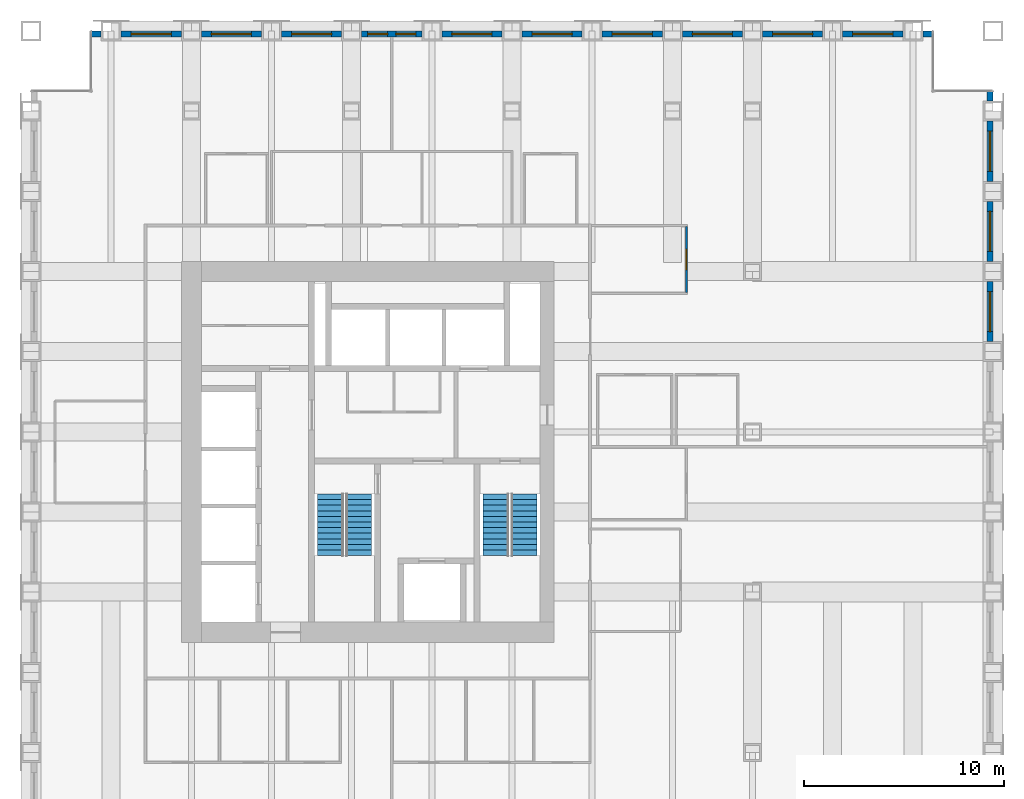
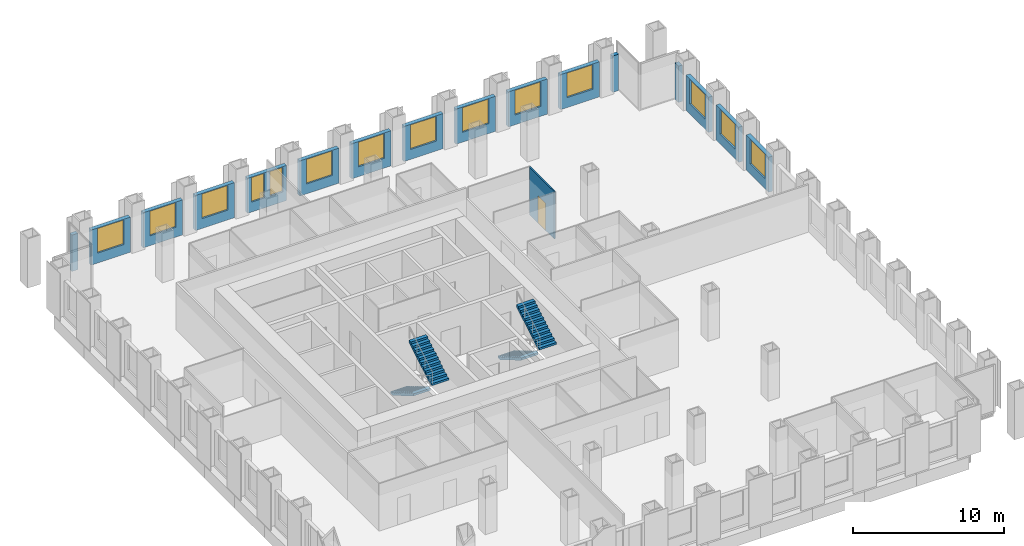
# One storey, part 14 of 16: 17 walls, 14 windows, 4 stair flights, 1 door, 15 openings, 2 elements without a shape of their own.
"""IFC4 building model written with IfcOpenShell, lengths in metres."""

from ifc_helpers import new_model, si_unit, direction, frame, frame_2d, origin, place, context, subcontext, project, spatial, polyline, rectangle, outline, extrude, material, layer, layer_set, type_object, element, fill, aggregate, save


model = new_model("IFC4")

# Units and contexts
model_context = context("Model", 3, precision=1e-05, world=origin(), true_north=direction((0.0, 1.0)))
body_context = subcontext(model_context, "Body", "Model", "MODEL_VIEW")
ifc_project = project(units=[si_unit("LENGTHUNIT", "METRE"), si_unit("AREAUNIT", "SQUARE_METRE"), si_unit("VOLUMEUNIT", "CUBIC_METRE"), si_unit("PLANEANGLEUNIT", "RADIAN"), si_unit("MASSUNIT", "GRAM", prefix="KILO")], contexts=[model_context])

# Site, building, storey
site_placement = place(None, origin())
site = spatial("IfcSite", under=ifc_project, at=site_placement, CompositionType="ELEMENT")
building_placement = place(site_placement, origin())
building = spatial("IfcBuilding", under=site, at=building_placement, Name="Rimbunsela Tower", CompositionType="ELEMENT")
storey_placement = place(building_placement, frame((0.0, 0.0, 97.39990234375)))
storey = spatial("IfcBuildingStorey", under=building, at=storey_placement, Name="L23", CompositionType="ELEMENT", Elevation=97.39990234375)

# Wall, opening, door
ifc_material_1 = material(Name="Gypsum board on steel studs", Category="steel")
ifc_layer_1 = layer(ifc_material_1, 0.10009765625)
ifc_layer_set_1 = layer_set([ifc_layer_1], Name="Office partition 100")
wall_type_1 = type_object("IfcWallType", Name="Office partition 100", PredefinedType="PARTITIONING", material=ifc_layer_set_1)
wall_1_placement = place(storey_placement, frame((42.699951171875, 34.949951171875, 0.0), z_axis=(0.0, 0.0, 1.0), x_axis=(0.0, 1.0, 0.0)))
wall_1 = element("IfcWall", 1, at=wall_1_placement, inside=storey, type_object=wall_type_1, Name="Office partition", PredefinedType="PARTITIONING", context=body_context, shape_type="SweptSolid", body=[
    extrude(rectangle(XDim=3.300048828125, YDim=0.10009765625, at=frame_2d((1.64990234375, 0.0))), origin(), (0.0, 0.0, 1.0), 3.85009765625),
])
opening_1_placement = place(wall_1_placement, frame((1.14990234375, 0.0, 0.0)))
opening_1 = element("IfcOpeningElement", 2, at=opening_1_placement, cuts=wall_1, Name="Opening D16", PredefinedType="OPENING", context=body_context, shape_type="SweptSolid", body=[
    extrude(rectangle(XDim=1.0, YDim=2.199951171875, at=frame_2d((0.5, 1.10009765625))), frame((0.0, 0.06005859375, 0.0), z_axis=(0.0, -1.0, 0.0), x_axis=(1.0, 0.0, 0.0)), (0.0, 0.0, 1.0), 0.1201171875),
])
ifc_material_2 = material(Name="Timber door", Category="wood")
door_type = type_object("IfcDoorType", Name="Office door 1000", OperationType="SINGLE_SWING_LEFT", PredefinedType="DOOR", material=ifc_material_2)
door_placement = place(opening_1_placement, origin())
door = element("IfcDoor", 3, at=door_placement, inside=storey, type_object=door_type, Name="Office door", OperationType="SINGLE_SWING_LEFT", OverallHeight=2.199951171875, OverallWidth=1.0, PredefinedType="DOOR", context=body_context, shape_type="SweptSolid", body=[
    extrude(rectangle(XDim=1.0, YDim=2.199951171875, at=frame_2d((0.5, 1.10009765625))), frame((0.0, 0.02490234375, 0.0), z_axis=(0.0, -1.0, 0.0), x_axis=(1.0, 0.0, 0.0)), (0.0, 0.0, 1.0), 0.050048828125),
])
fill(opening_1, door)

# Wall, opening, window
ifc_material_3 = material(Name="Precast concrete fc' 35 MPa", Category="concrete")
ifc_layer_2 = layer(ifc_material_3, 0.300048828125)
ifc_layer_set_2 = layer_set([ifc_layer_2], Name="Precast concrete fc' 35 MPa")
wall_type_2 = type_object("IfcWallType", Name="Precast facade panel 300", PredefinedType="ELEMENTEDWALL", material=ifc_layer_set_2)
wall_2_placement = place(storey_placement, frame((57.85009765625, 32.5, 0.0), z_axis=(0.0, 0.0, 1.0), x_axis=(0.0, 1.0, 0.0)))
wall_2 = element("IfcWall", 4, at=wall_2_placement, inside=storey, type_object=wall_type_2, Name="Facade panel E L23", PredefinedType="ELEMENTEDWALL", context=body_context, shape_type="SweptSolid", body=[
    extrude(rectangle(XDim=3.0, YDim=0.300048828125, at=frame_2d((1.5, 0.0))), origin(), (0.0, 0.0, 1.0), 2.85009765625),
])
opening_2_placement = place(wall_2_placement, frame((0.5, 0.0, 0.800048828125)))
opening_2 = element("IfcOpeningElement", 5, at=opening_2_placement, cuts=wall_2, Name="Opening W1", PredefinedType="OPENING", context=body_context, shape_type="SweptSolid", body=[
    extrude(rectangle(XDim=2.0, YDim=2.0, at=frame_2d((1.0, 1.0))), frame((0.0, 0.159912109375, 0.0), z_axis=(0.0, -1.0, 0.0), x_axis=(1.0, 0.0, 0.0)), (0.0, 0.0, 1.0), 0.320068359375),
])
ifc_material_4 = material(Name="Clear glass in aluminium frame", Category="aluminium")
window_type_1 = type_object("IfcWindowType", Name="Window W1 2000x2000", PartitioningType="DOUBLE_PANEL_VERTICAL", PredefinedType="WINDOW", material=ifc_material_4)
window_1_placement = place(opening_2_placement, origin())
window_1 = element("IfcWindow", 6, at=window_1_placement, inside=storey, type_object=window_type_1, Name="Window L23", OverallHeight=2.0, OverallWidth=2.0, PartitioningType="SINGLE_PANEL", PredefinedType="WINDOW", context=body_context, shape_type="SweptSolid", body=[
    extrude(rectangle(XDim=2.0, YDim=2.0, at=frame_2d((1.0, 1.0))), frame((0.0, 0.030029296875, 0.0), z_axis=(0.0, -1.0, 0.0), x_axis=(1.0, 0.0, 0.0)), (0.0, 0.0, 1.0), 0.06005859375),
])
fill(opening_2, window_1)

wall_3_placement = place(storey_placement, frame((57.85009765625, 36.5, 0.0), z_axis=(0.0, 0.0, 1.0), x_axis=(0.0, 1.0, 0.0)))
wall_3 = element("IfcWall", 7, at=wall_3_placement, inside=storey, type_object=wall_type_2, Name="Facade panel E L23", PredefinedType="ELEMENTEDWALL", context=body_context, shape_type="SweptSolid", body=[
    extrude(rectangle(XDim=3.0, YDim=0.300048828125, at=frame_2d((1.5, 0.0))), origin(), (0.0, 0.0, 1.0), 2.85009765625),
])
opening_3_placement = place(wall_3_placement, frame((0.5, 0.0, 0.800048828125)))
opening_3 = element("IfcOpeningElement", 8, at=opening_3_placement, cuts=wall_3, Name="Opening W1", PredefinedType="OPENING", context=body_context, shape_type="SweptSolid", body=[
    extrude(rectangle(XDim=2.0, YDim=2.0, at=frame_2d((1.0, 1.0))), frame((0.0, 0.159912109375, 0.0), z_axis=(0.0, -1.0, 0.0), x_axis=(1.0, 0.0, 0.0)), (0.0, 0.0, 1.0), 0.320068359375),
])
window_2_placement = place(opening_3_placement, origin())
window_2 = element("IfcWindow", 9, at=window_2_placement, inside=storey, type_object=window_type_1, Name="Window L23", OverallHeight=2.0, OverallWidth=2.0, PartitioningType="SINGLE_PANEL", PredefinedType="WINDOW", context=body_context, shape_type="SweptSolid", body=[
    extrude(rectangle(XDim=2.0, YDim=2.0, at=frame_2d((1.0, 1.0))), frame((0.0, 0.030029296875, 0.0), z_axis=(0.0, -1.0, 0.0), x_axis=(1.0, 0.0, 0.0)), (0.0, 0.0, 1.0), 0.06005859375),
])
fill(opening_3, window_2)

wall_4_placement = place(storey_placement, frame((57.85009765625, 40.5, 0.0), z_axis=(0.0, 0.0, 1.0), x_axis=(0.0, 1.0, 0.0)))
wall_4 = element("IfcWall", 10, at=wall_4_placement, inside=storey, type_object=wall_type_2, Name="Facade panel E L23", PredefinedType="ELEMENTEDWALL", context=body_context, shape_type="SweptSolid", body=[
    extrude(rectangle(XDim=3.0, YDim=0.300048828125, at=frame_2d((1.5, 0.0))), origin(), (0.0, 0.0, 1.0), 2.85009765625),
])
opening_4_placement = place(wall_4_placement, frame((0.5, 0.0, 0.800048828125)))
opening_4 = element("IfcOpeningElement", 11, at=opening_4_placement, cuts=wall_4, Name="Opening W1", PredefinedType="OPENING", context=body_context, shape_type="SweptSolid", body=[
    extrude(rectangle(XDim=2.0, YDim=2.0, at=frame_2d((1.0, 1.0))), frame((0.0, 0.159912109375, 0.0), z_axis=(0.0, -1.0, 0.0), x_axis=(1.0, 0.0, 0.0)), (0.0, 0.0, 1.0), 0.320068359375),
])
window_3_placement = place(opening_4_placement, origin())
window_3 = element("IfcWindow", 12, at=window_3_placement, inside=storey, type_object=window_type_1, Name="Window L23", OverallHeight=2.0, OverallWidth=2.0, PartitioningType="SINGLE_PANEL", PredefinedType="WINDOW", context=body_context, shape_type="SweptSolid", body=[
    extrude(rectangle(XDim=2.0, YDim=2.0, at=frame_2d((1.0, 1.0))), frame((0.0, 0.030029296875, 0.0), z_axis=(0.0, -1.0, 0.0), x_axis=(1.0, 0.0, 0.0)), (0.0, 0.0, 1.0), 0.06005859375),
])
fill(opening_4, window_3)

# Walls
for number, where, z_axis, x_axis, name in (
    (13, (57.85009765625, 44.5, 0.0), (0.0, 0.0, 1.0), (0.0, 1.0, 0.0), "Facade panel E L23"),
    (14, (13.5, 47.85009765625, 0.0), (0.0, 0.0, 1.0), (-1.0, 0.0, 0.0), "Facade panel N L23"),
):
    element("IfcWall", number, at=place(storey_placement, frame(where, z_axis=z_axis, x_axis=x_axis)), inside=storey, type_object=wall_type_2, Name=name, PredefinedType="ELEMENTEDWALL", context=body_context, shape_type="SweptSolid", body=[
        extrude(rectangle(XDim=0.469970703125, YDim=0.300048828125, at=frame_2d((0.23486328125, 0.0))), origin(), (0.0, 0.0, 1.0), 2.9501953125),
    ])

# Wall, opening, window
wall_5_placement = place(storey_placement, frame((17.5, 47.85009765625, 0.0), z_axis=(0.0, 0.0, 1.0), x_axis=(-1.0, 0.0, 0.0)))
wall_5 = element("IfcWall", 15, at=wall_5_placement, inside=storey, type_object=wall_type_2, Name="Facade panel N L23", PredefinedType="ELEMENTEDWALL", context=body_context, shape_type="SweptSolid", body=[
    extrude(rectangle(XDim=3.0, YDim=0.300048828125, at=frame_2d((1.5, 0.0))), origin(), (0.0, 0.0, 1.0), 2.85009765625),
])
opening_5_placement = place(wall_5_placement, frame((0.5, 0.0, 0.800048828125)))
opening_5 = element("IfcOpeningElement", 16, at=opening_5_placement, cuts=wall_5, Name="Opening W1", PredefinedType="OPENING", context=body_context, shape_type="SweptSolid", body=[
    extrude(rectangle(XDim=2.0, YDim=2.0, at=frame_2d((1.0, 1.0))), frame((0.0, 0.159912109375, 0.0), z_axis=(0.0, -1.0, 0.0), x_axis=(1.0, 0.0, 0.0)), (0.0, 0.0, 1.0), 0.320068359375),
])
window_4_placement = place(opening_5_placement, origin())
window_4 = element("IfcWindow", 17, at=window_4_placement, inside=storey, type_object=window_type_1, Name="Window L23", OverallHeight=2.0, OverallWidth=2.0, PartitioningType="SINGLE_PANEL", PredefinedType="WINDOW", context=body_context, shape_type="SweptSolid", body=[
    extrude(rectangle(XDim=2.0, YDim=2.0, at=frame_2d((1.0, 1.0))), frame((0.0, 0.030029296875, 0.0), z_axis=(0.0, -1.0, 0.0), x_axis=(1.0, 0.0, 0.0)), (0.0, 0.0, 1.0), 0.06005859375),
])
fill(opening_5, window_4)

wall_6_placement = place(storey_placement, frame((21.5, 47.85009765625, 0.0), z_axis=(0.0, 0.0, 1.0), x_axis=(-1.0, 0.0, 0.0)))
wall_6 = element("IfcWall", 18, at=wall_6_placement, inside=storey, type_object=wall_type_2, Name="Facade panel N L23", PredefinedType="ELEMENTEDWALL", context=body_context, shape_type="SweptSolid", body=[
    extrude(rectangle(XDim=3.0, YDim=0.300048828125, at=frame_2d((1.5, 0.0))), origin(), (0.0, 0.0, 1.0), 2.85009765625),
])
opening_6_placement = place(wall_6_placement, frame((0.5, 0.0, 0.800048828125)))
opening_6 = element("IfcOpeningElement", 19, at=opening_6_placement, cuts=wall_6, Name="Opening W1", PredefinedType="OPENING", context=body_context, shape_type="SweptSolid", body=[
    extrude(rectangle(XDim=2.0, YDim=2.0, at=frame_2d((1.0, 1.0))), frame((0.0, 0.159912109375, 0.0), z_axis=(0.0, -1.0, 0.0), x_axis=(1.0, 0.0, 0.0)), (0.0, 0.0, 1.0), 0.320068359375),
])
window_5_placement = place(opening_6_placement, origin())
window_5 = element("IfcWindow", 20, at=window_5_placement, inside=storey, type_object=window_type_1, Name="Window L23", OverallHeight=2.0, OverallWidth=2.0, PartitioningType="SINGLE_PANEL", PredefinedType="WINDOW", context=body_context, shape_type="SweptSolid", body=[
    extrude(rectangle(XDim=2.0, YDim=2.0, at=frame_2d((1.0, 1.0))), frame((0.0, 0.030029296875, 0.0), z_axis=(0.0, -1.0, 0.0), x_axis=(1.0, 0.0, 0.0)), (0.0, 0.0, 1.0), 0.06005859375),
])
fill(opening_6, window_5)

wall_7_placement = place(storey_placement, frame((25.5, 47.85009765625, 0.0), z_axis=(0.0, 0.0, 1.0), x_axis=(-1.0, 0.0, 0.0)))
wall_7 = element("IfcWall", 21, at=wall_7_placement, inside=storey, type_object=wall_type_2, Name="Facade panel N L23", PredefinedType="ELEMENTEDWALL", context=body_context, shape_type="SweptSolid", body=[
    extrude(rectangle(XDim=3.0, YDim=0.300048828125, at=frame_2d((1.5, 0.0))), origin(), (0.0, 0.0, 1.0), 2.85009765625),
])
opening_7_placement = place(wall_7_placement, frame((0.5, 0.0, 0.800048828125)))
opening_7 = element("IfcOpeningElement", 22, at=opening_7_placement, cuts=wall_7, Name="Opening W1", PredefinedType="OPENING", context=body_context, shape_type="SweptSolid", body=[
    extrude(rectangle(XDim=2.0, YDim=2.0, at=frame_2d((1.0, 1.0))), frame((0.0, 0.159912109375, 0.0), z_axis=(0.0, -1.0, 0.0), x_axis=(1.0, 0.0, 0.0)), (0.0, 0.0, 1.0), 0.320068359375),
])
window_6_placement = place(opening_7_placement, origin())
window_6 = element("IfcWindow", 23, at=window_6_placement, inside=storey, type_object=window_type_1, Name="Window L23", OverallHeight=2.0, OverallWidth=2.0, PartitioningType="SINGLE_PANEL", PredefinedType="WINDOW", context=body_context, shape_type="SweptSolid", body=[
    extrude(rectangle(XDim=2.0, YDim=2.0, at=frame_2d((1.0, 1.0))), frame((0.0, 0.030029296875, 0.0), z_axis=(0.0, -1.0, 0.0), x_axis=(1.0, 0.0, 0.0)), (0.0, 0.0, 1.0), 0.06005859375),
])
fill(opening_7, window_6)

# Wall, openings, windows
wall_8_placement = place(storey_placement, frame((29.5, 47.85009765625, 0.0), z_axis=(0.0, 0.0, 1.0), x_axis=(-1.0, 0.0, 0.0)))
wall_8 = element("IfcWall", 24, at=wall_8_placement, inside=storey, type_object=wall_type_2, Name="Facade panel N L23", PredefinedType="ELEMENTEDWALL", context=body_context, shape_type="SweptSolid", body=[
    extrude(rectangle(XDim=3.0, YDim=0.300048828125, at=frame_2d((1.5, 0.0))), origin(), (0.0, 0.0, 1.0), 2.85009765625),
])
opening_8_placement = place(wall_8_placement, frame((1.699951171875, 0.0, 0.800048828125)))
opening_8 = element("IfcOpeningElement", 25, at=opening_8_placement, cuts=wall_8, Name="Opening W5", PredefinedType="OPENING", context=body_context, shape_type="SweptSolid", body=[
    extrude(rectangle(XDim=1.0, YDim=2.0, at=frame_2d((0.5, 1.0))), frame((0.0, 0.159912109375, 0.0), z_axis=(0.0, -1.0, 0.0), x_axis=(1.0, 0.0, 0.0)), (0.0, 0.0, 1.0), 0.320068359375),
])
opening_9_placement = place(wall_8_placement, frame((0.300048828125, 0.0, 0.800048828125)))
opening_9 = element("IfcOpeningElement", 26, at=opening_9_placement, cuts=wall_8, Name="Opening W5", PredefinedType="OPENING", context=body_context, shape_type="SweptSolid", body=[
    extrude(rectangle(XDim=1.0, YDim=2.0, at=frame_2d((0.5, 1.0))), frame((0.0, 0.159912109375, 0.0), z_axis=(0.0, -1.0, 0.0), x_axis=(1.0, 0.0, 0.0)), (0.0, 0.0, 1.0), 0.320068359375),
])
ifc_material_5 = material(Name="Clear glass in aluminium frame", Category="aluminium")
window_type_2 = type_object("IfcWindowType", Name="Window W5 1000x2000", PartitioningType="SINGLE_PANEL", PredefinedType="WINDOW", material=ifc_material_5)
window_7_placement = place(opening_8_placement, origin())
window_7 = element("IfcWindow", 27, at=window_7_placement, inside=storey, type_object=window_type_2, Name="Window L23", OverallHeight=2.0, OverallWidth=1.0, PartitioningType="SINGLE_PANEL", PredefinedType="WINDOW", context=body_context, shape_type="SweptSolid", body=[
    extrude(rectangle(XDim=1.0, YDim=2.0, at=frame_2d((0.5, 1.0))), frame((0.0, 0.030029296875, 0.0), z_axis=(0.0, -1.0, 0.0), x_axis=(1.0, 0.0, 0.0)), (0.0, 0.0, 1.0), 0.06005859375),
])
fill(opening_8, window_7)
window_8_placement = place(opening_9_placement, origin())
window_8 = element("IfcWindow", 28, at=window_8_placement, inside=storey, type_object=window_type_2, Name="Window L23", OverallHeight=2.0, OverallWidth=1.0, PartitioningType="SINGLE_PANEL", PredefinedType="WINDOW", context=body_context, shape_type="SweptSolid", body=[
    extrude(rectangle(XDim=1.0, YDim=2.0, at=frame_2d((0.5, 1.0))), frame((0.0, 0.030029296875, 0.0), z_axis=(0.0, -1.0, 0.0), x_axis=(1.0, 0.0, 0.0)), (0.0, 0.0, 1.0), 0.06005859375),
])
fill(opening_9, window_8)

# Wall, opening, window
wall_9_placement = place(storey_placement, frame((33.5, 47.85009765625, 0.0), z_axis=(0.0, 0.0, 1.0), x_axis=(-1.0, 0.0, 0.0)))
wall_9 = element("IfcWall", 29, at=wall_9_placement, inside=storey, type_object=wall_type_2, Name="Facade panel N L23", PredefinedType="ELEMENTEDWALL", context=body_context, shape_type="SweptSolid", body=[
    extrude(rectangle(XDim=3.0, YDim=0.300048828125, at=frame_2d((1.5, 0.0))), origin(), (0.0, 0.0, 1.0), 2.85009765625),
])
opening_10_placement = place(wall_9_placement, frame((0.5, 0.0, 0.800048828125)))
opening_10 = element("IfcOpeningElement", 30, at=opening_10_placement, cuts=wall_9, Name="Opening W1", PredefinedType="OPENING", context=body_context, shape_type="SweptSolid", body=[
    extrude(rectangle(XDim=2.0, YDim=2.0, at=frame_2d((1.0, 1.0))), frame((0.0, 0.159912109375, 0.0), z_axis=(0.0, -1.0, 0.0), x_axis=(1.0, 0.0, 0.0)), (0.0, 0.0, 1.0), 0.320068359375),
])
window_9_placement = place(opening_10_placement, origin())
window_9 = element("IfcWindow", 31, at=window_9_placement, inside=storey, type_object=window_type_1, Name="Window L23", OverallHeight=2.0, OverallWidth=2.0, PartitioningType="SINGLE_PANEL", PredefinedType="WINDOW", context=body_context, shape_type="SweptSolid", body=[
    extrude(rectangle(XDim=2.0, YDim=2.0, at=frame_2d((1.0, 1.0))), frame((0.0, 0.030029296875, 0.0), z_axis=(0.0, -1.0, 0.0), x_axis=(1.0, 0.0, 0.0)), (0.0, 0.0, 1.0), 0.06005859375),
])
fill(opening_10, window_9)

wall_10_placement = place(storey_placement, frame((37.5, 47.85009765625, 0.0), z_axis=(0.0, 0.0, 1.0), x_axis=(-1.0, 0.0, 0.0)))
wall_10 = element("IfcWall", 32, at=wall_10_placement, inside=storey, type_object=wall_type_2, Name="Facade panel N L23", PredefinedType="ELEMENTEDWALL", context=body_context, shape_type="SweptSolid", body=[
    extrude(rectangle(XDim=3.0, YDim=0.300048828125, at=frame_2d((1.5, 0.0))), origin(), (0.0, 0.0, 1.0), 2.85009765625),
])
opening_11_placement = place(wall_10_placement, frame((0.5, 0.0, 0.800048828125)))
opening_11 = element("IfcOpeningElement", 33, at=opening_11_placement, cuts=wall_10, Name="Opening W1", PredefinedType="OPENING", context=body_context, shape_type="SweptSolid", body=[
    extrude(rectangle(XDim=2.0, YDim=2.0, at=frame_2d((1.0, 1.0))), frame((0.0, 0.159912109375, 0.0), z_axis=(0.0, -1.0, 0.0), x_axis=(1.0, 0.0, 0.0)), (0.0, 0.0, 1.0), 0.320068359375),
])
window_10_placement = place(opening_11_placement, origin())
window_10 = element("IfcWindow", 34, at=window_10_placement, inside=storey, type_object=window_type_1, Name="Window L23", OverallHeight=2.0, OverallWidth=2.0, PartitioningType="SINGLE_PANEL", PredefinedType="WINDOW", context=body_context, shape_type="SweptSolid", body=[
    extrude(rectangle(XDim=2.0, YDim=2.0, at=frame_2d((1.0, 1.0))), frame((0.0, 0.030029296875, 0.0), z_axis=(0.0, -1.0, 0.0), x_axis=(1.0, 0.0, 0.0)), (0.0, 0.0, 1.0), 0.06005859375),
])
fill(opening_11, window_10)

wall_11_placement = place(storey_placement, frame((41.5, 47.85009765625, 0.0), z_axis=(0.0, 0.0, 1.0), x_axis=(-1.0, 0.0, 0.0)))
wall_11 = element("IfcWall", 35, at=wall_11_placement, inside=storey, type_object=wall_type_2, Name="Facade panel N L23", PredefinedType="ELEMENTEDWALL", context=body_context, shape_type="SweptSolid", body=[
    extrude(rectangle(XDim=3.0, YDim=0.300048828125, at=frame_2d((1.5, 0.0))), origin(), (0.0, 0.0, 1.0), 2.85009765625),
])
opening_12_placement = place(wall_11_placement, frame((0.5, 0.0, 0.800048828125)))
opening_12 = element("IfcOpeningElement", 36, at=opening_12_placement, cuts=wall_11, Name="Opening W1", PredefinedType="OPENING", context=body_context, shape_type="SweptSolid", body=[
    extrude(rectangle(XDim=2.0, YDim=2.0, at=frame_2d((1.0, 1.0))), frame((0.0, 0.159912109375, 0.0), z_axis=(0.0, -1.0, 0.0), x_axis=(1.0, 0.0, 0.0)), (0.0, 0.0, 1.0), 0.320068359375),
])
window_11_placement = place(opening_12_placement, origin())
window_11 = element("IfcWindow", 37, at=window_11_placement, inside=storey, type_object=window_type_1, Name="Window L23", OverallHeight=2.0, OverallWidth=2.0, PartitioningType="SINGLE_PANEL", PredefinedType="WINDOW", context=body_context, shape_type="SweptSolid", body=[
    extrude(rectangle(XDim=2.0, YDim=2.0, at=frame_2d((1.0, 1.0))), frame((0.0, 0.030029296875, 0.0), z_axis=(0.0, -1.0, 0.0), x_axis=(1.0, 0.0, 0.0)), (0.0, 0.0, 1.0), 0.06005859375),
])
fill(opening_12, window_11)

wall_12_placement = place(storey_placement, frame((45.5, 47.85009765625, 0.0), z_axis=(0.0, 0.0, 1.0), x_axis=(-1.0, 0.0, 0.0)))
wall_12 = element("IfcWall", 38, at=wall_12_placement, inside=storey, type_object=wall_type_2, Name="Facade panel N L23", PredefinedType="ELEMENTEDWALL", context=body_context, shape_type="SweptSolid", body=[
    extrude(rectangle(XDim=3.0, YDim=0.300048828125, at=frame_2d((1.5, 0.0))), origin(), (0.0, 0.0, 1.0), 2.85009765625),
])
opening_13_placement = place(wall_12_placement, frame((0.5, 0.0, 0.800048828125)))
opening_13 = element("IfcOpeningElement", 39, at=opening_13_placement, cuts=wall_12, Name="Opening W1", PredefinedType="OPENING", context=body_context, shape_type="SweptSolid", body=[
    extrude(rectangle(XDim=2.0, YDim=2.0, at=frame_2d((1.0, 1.0))), frame((0.0, 0.159912109375, 0.0), z_axis=(0.0, -1.0, 0.0), x_axis=(1.0, 0.0, 0.0)), (0.0, 0.0, 1.0), 0.320068359375),
])
window_12_placement = place(opening_13_placement, origin())
window_12 = element("IfcWindow", 40, at=window_12_placement, inside=storey, type_object=window_type_1, Name="Window L23", OverallHeight=2.0, OverallWidth=2.0, PartitioningType="SINGLE_PANEL", PredefinedType="WINDOW", context=body_context, shape_type="SweptSolid", body=[
    extrude(rectangle(XDim=2.0, YDim=2.0, at=frame_2d((1.0, 1.0))), frame((0.0, 0.030029296875, 0.0), z_axis=(0.0, -1.0, 0.0), x_axis=(1.0, 0.0, 0.0)), (0.0, 0.0, 1.0), 0.06005859375),
])
fill(opening_13, window_12)

wall_13_placement = place(storey_placement, frame((49.5, 47.85009765625, 0.0), z_axis=(0.0, 0.0, 1.0), x_axis=(-1.0, 0.0, 0.0)))
wall_13 = element("IfcWall", 41, at=wall_13_placement, inside=storey, type_object=wall_type_2, Name="Facade panel N L23", PredefinedType="ELEMENTEDWALL", context=body_context, shape_type="SweptSolid", body=[
    extrude(rectangle(XDim=3.0, YDim=0.300048828125, at=frame_2d((1.5, 0.0))), origin(), (0.0, 0.0, 1.0), 2.85009765625),
])
opening_14_placement = place(wall_13_placement, frame((0.5, 0.0, 0.800048828125)))
opening_14 = element("IfcOpeningElement", 42, at=opening_14_placement, cuts=wall_13, Name="Opening W1", PredefinedType="OPENING", context=body_context, shape_type="SweptSolid", body=[
    extrude(rectangle(XDim=2.0, YDim=2.0, at=frame_2d((1.0, 1.0))), frame((0.0, 0.159912109375, 0.0), z_axis=(0.0, -1.0, 0.0), x_axis=(1.0, 0.0, 0.0)), (0.0, 0.0, 1.0), 0.320068359375),
])
window_13_placement = place(opening_14_placement, origin())
window_13 = element("IfcWindow", 43, at=window_13_placement, inside=storey, type_object=window_type_1, Name="Window L23", OverallHeight=2.0, OverallWidth=2.0, PartitioningType="SINGLE_PANEL", PredefinedType="WINDOW", context=body_context, shape_type="SweptSolid", body=[
    extrude(rectangle(XDim=2.0, YDim=2.0, at=frame_2d((1.0, 1.0))), frame((0.0, 0.030029296875, 0.0), z_axis=(0.0, -1.0, 0.0), x_axis=(1.0, 0.0, 0.0)), (0.0, 0.0, 1.0), 0.06005859375),
])
fill(opening_14, window_13)

wall_14_placement = place(storey_placement, frame((53.5, 47.85009765625, 0.0), z_axis=(0.0, 0.0, 1.0), x_axis=(-1.0, 0.0, 0.0)))
wall_14 = element("IfcWall", 44, at=wall_14_placement, inside=storey, type_object=wall_type_2, Name="Facade panel N L23", PredefinedType="ELEMENTEDWALL", context=body_context, shape_type="SweptSolid", body=[
    extrude(rectangle(XDim=3.0, YDim=0.300048828125, at=frame_2d((1.5, 0.0))), origin(), (0.0, 0.0, 1.0), 2.85009765625),
])
opening_15_placement = place(wall_14_placement, frame((0.5, 0.0, 0.800048828125)))
opening_15 = element("IfcOpeningElement", 45, at=opening_15_placement, cuts=wall_14, Name="Opening W1", PredefinedType="OPENING", context=body_context, shape_type="SweptSolid", body=[
    extrude(rectangle(XDim=2.0, YDim=2.0, at=frame_2d((1.0, 1.0))), frame((0.0, 0.159912109375, 0.0), z_axis=(0.0, -1.0, 0.0), x_axis=(1.0, 0.0, 0.0)), (0.0, 0.0, 1.0), 0.320068359375),
])
window_14_placement = place(opening_15_placement, origin())
window_14 = element("IfcWindow", 46, at=window_14_placement, inside=storey, type_object=window_type_1, Name="Window L23", OverallHeight=2.0, OverallWidth=2.0, PartitioningType="SINGLE_PANEL", PredefinedType="WINDOW", context=body_context, shape_type="SweptSolid", body=[
    extrude(rectangle(XDim=2.0, YDim=2.0, at=frame_2d((1.0, 1.0))), frame((0.0, 0.030029296875, 0.0), z_axis=(0.0, -1.0, 0.0), x_axis=(1.0, 0.0, 0.0)), (0.0, 0.0, 1.0), 0.06005859375),
])
fill(opening_15, window_14)

# Wall
wall_15_placement = place(storey_placement, frame((54.969970703125, 47.85009765625, 0.0), z_axis=(0.0, 0.0, 1.0), x_axis=(-1.0, 0.0, 0.0)))
element("IfcWall", 47, at=wall_15_placement, inside=storey, type_object=wall_type_2, Name="Facade panel N L23", PredefinedType="ELEMENTEDWALL", context=body_context, shape_type="SweptSolid", body=[
    extrude(rectangle(XDim=0.469970703125, YDim=0.300048828125, at=frame_2d((0.23486328125, 0.0))), origin(), (0.0, 0.0, 1.0), 2.9501953125),
])

# Stair, stair flights
ifc_material_6 = material(Name="Concrete fc' 35 MPa", Category="concrete")
stair_type = type_object("IfcStairType", Name="Exit stair 24 risers", PredefinedType="HALF_TURN_STAIR", material=ifc_material_6)
stair_1_placement = place(storey_placement, origin())
stair_1 = element("IfcStair", 48, at=stair_1_placement, inside=storey, type_object=stair_type, Name="Exit stair A L23", PredefinedType="HALF_TURN_STAIR")
ifc_material_7 = material(Name="Concrete fc' 35 MPa", Category="concrete")
stair_flight_type = type_object("IfcStairFlightType", Name="Stair flight 12 risers 167", PredefinedType="STRAIGHT", material=ifc_material_7)
stair_flight_1_placement = place(storey_placement, frame((24.949951171875, 24.89990234375, 0.0), z_axis=(0.0, 0.0, 1.0), x_axis=(0.0, -1.0, 0.0)))
stair_flight_1 = element("IfcStairFlight", 49, at=stair_flight_1_placement, type_object=stair_flight_type, Name="ST-A flight 1", NumberOfRisers=12, NumberOfTreads=11, PredefinedType="STRAIGHT", RiserHeight=0.166666667, TreadLength=0.28, context=body_context, shape_type="SweptSolid", body=[
    extrude(outline(polyline([(0.0, 0.0), (0.0, 0.166748046875), (0.280029296875, 0.166748046875), (0.280029296875, 0.333251953125), (0.56005859375, 0.333251953125), (0.56005859375, 0.5), (0.840087890625, 0.5), (0.840087890625, 0.666748046875), (1.1201171875, 0.666748046875), (1.1201171875, 0.833251953125), (1.39990234375, 0.833251953125), (1.39990234375, 1.0), (1.679931640625, 1.0), (1.679931640625, 1.166748046875), (1.9599609375, 1.166748046875), (1.9599609375, 1.333251953125), (2.239990234375, 1.333251953125), (2.239990234375, 1.5), (2.52001953125, 1.5), (2.52001953125, 1.666748046875), (2.800048828125, 1.666748046875), (2.800048828125, 1.833251953125), (3.080078125, 1.833251953125), (3.080078125, 2.0), (3.080078125, 1.658935546875), (0.29296875, 0.0), (0.0, 0.0)])), frame((0.0, 0.64990234375, 0.0), z_axis=(0.0, -1.0, 0.0), x_axis=(1.0, 0.0, 0.0)), (0.0, 0.0, 1.0), 1.300048828125),
])
stair_flight_2_placement = place(storey_placement, frame((26.35009765625, 21.820068359375, 2.0), z_axis=(0.0, 0.0, 1.0), x_axis=(0.0, 1.0, 0.0)))
stair_flight_2 = element("IfcStairFlight", 50, at=stair_flight_2_placement, type_object=stair_flight_type, Name="ST-A flight 2", NumberOfRisers=12, NumberOfTreads=11, PredefinedType="STRAIGHT", RiserHeight=0.166666667, TreadLength=0.28, context=body_context, shape_type="SweptSolid", body=[
    extrude(outline(polyline([(0.0, 0.0), (0.0, 0.166748046875), (0.280029296875, 0.166748046875), (0.280029296875, 0.333251953125), (0.56005859375, 0.333251953125), (0.56005859375, 0.5), (0.840087890625, 0.5), (0.840087890625, 0.666748046875), (1.1201171875, 0.666748046875), (1.1201171875, 0.833251953125), (1.39990234375, 0.833251953125), (1.39990234375, 1.0), (1.679931640625, 1.0), (1.679931640625, 1.166748046875), (1.9599609375, 1.166748046875), (1.9599609375, 1.333251953125), (2.239990234375, 1.333251953125), (2.239990234375, 1.5), (2.52001953125, 1.5), (2.52001953125, 1.666748046875), (2.800048828125, 1.666748046875), (2.800048828125, 1.833251953125), (3.080078125, 1.833251953125), (3.080078125, 2.0), (3.080078125, 1.658935546875), (0.29296875, 0.0), (0.0, 0.0)])), frame((0.0, 0.64990234375, 0.0), z_axis=(0.0, -1.0, 0.0), x_axis=(1.0, 0.0, 0.0)), (0.0, 0.0, 1.0), 1.300048828125),
])
aggregate(stair_1, [stair_flight_1, stair_flight_2])

stair_2_placement = place(storey_placement, origin())
stair_2 = element("IfcStair", 51, at=stair_2_placement, inside=storey, type_object=stair_type, Name="Exit stair B L23", PredefinedType="HALF_TURN_STAIR")
stair_flight_3_placement = place(storey_placement, frame((33.199951171875, 24.89990234375, 0.0), z_axis=(0.0, 0.0, 1.0), x_axis=(0.0, -1.0, 0.0)))
stair_flight_3 = element("IfcStairFlight", 52, at=stair_flight_3_placement, type_object=stair_flight_type, Name="ST-B flight 1", NumberOfRisers=12, NumberOfTreads=11, PredefinedType="STRAIGHT", RiserHeight=0.166666667, TreadLength=0.28, context=body_context, shape_type="SweptSolid", body=[
    extrude(outline(polyline([(0.0, 0.0), (0.0, 0.166748046875), (0.280029296875, 0.166748046875), (0.280029296875, 0.333251953125), (0.56005859375, 0.333251953125), (0.56005859375, 0.5), (0.840087890625, 0.5), (0.840087890625, 0.666748046875), (1.1201171875, 0.666748046875), (1.1201171875, 0.833251953125), (1.39990234375, 0.833251953125), (1.39990234375, 1.0), (1.679931640625, 1.0), (1.679931640625, 1.166748046875), (1.9599609375, 1.166748046875), (1.9599609375, 1.333251953125), (2.239990234375, 1.333251953125), (2.239990234375, 1.5), (2.52001953125, 1.5), (2.52001953125, 1.666748046875), (2.800048828125, 1.666748046875), (2.800048828125, 1.833251953125), (3.080078125, 1.833251953125), (3.080078125, 2.0), (3.080078125, 1.658935546875), (0.29296875, 0.0), (0.0, 0.0)])), frame((0.0, 0.64990234375, 0.0), z_axis=(0.0, -1.0, 0.0), x_axis=(1.0, 0.0, 0.0)), (0.0, 0.0, 1.0), 1.300048828125),
])
stair_flight_4_placement = place(storey_placement, frame((34.60009765625, 21.820068359375, 2.0), z_axis=(0.0, 0.0, 1.0), x_axis=(0.0, 1.0, 0.0)))
stair_flight_4 = element("IfcStairFlight", 53, at=stair_flight_4_placement, type_object=stair_flight_type, Name="ST-B flight 2", NumberOfRisers=12, NumberOfTreads=11, PredefinedType="STRAIGHT", RiserHeight=0.166666667, TreadLength=0.28, context=body_context, shape_type="SweptSolid", body=[
    extrude(outline(polyline([(0.0, 0.0), (0.0, 0.166748046875), (0.280029296875, 0.166748046875), (0.280029296875, 0.333251953125), (0.56005859375, 0.333251953125), (0.56005859375, 0.5), (0.840087890625, 0.5), (0.840087890625, 0.666748046875), (1.1201171875, 0.666748046875), (1.1201171875, 0.833251953125), (1.39990234375, 0.833251953125), (1.39990234375, 1.0), (1.679931640625, 1.0), (1.679931640625, 1.166748046875), (1.9599609375, 1.166748046875), (1.9599609375, 1.333251953125), (2.239990234375, 1.333251953125), (2.239990234375, 1.5), (2.52001953125, 1.5), (2.52001953125, 1.666748046875), (2.800048828125, 1.666748046875), (2.800048828125, 1.833251953125), (3.080078125, 1.833251953125), (3.080078125, 2.0), (3.080078125, 1.658935546875), (0.29296875, 0.0), (0.0, 0.0)])), frame((0.0, 0.64990234375, 0.0), z_axis=(0.0, -1.0, 0.0), x_axis=(1.0, 0.0, 0.0)), (0.0, 0.0, 1.0), 1.300048828125),
])
aggregate(stair_2, [stair_flight_3, stair_flight_4])

save(model, "model.ifc")
